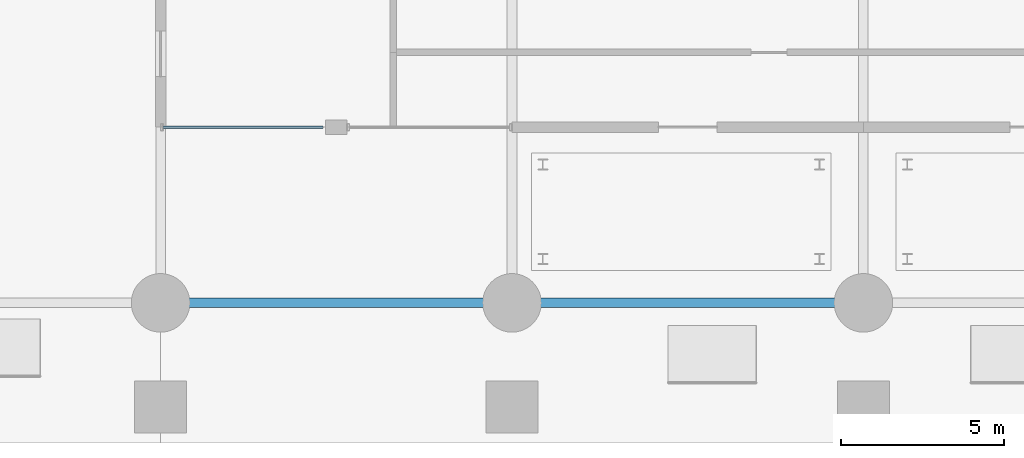
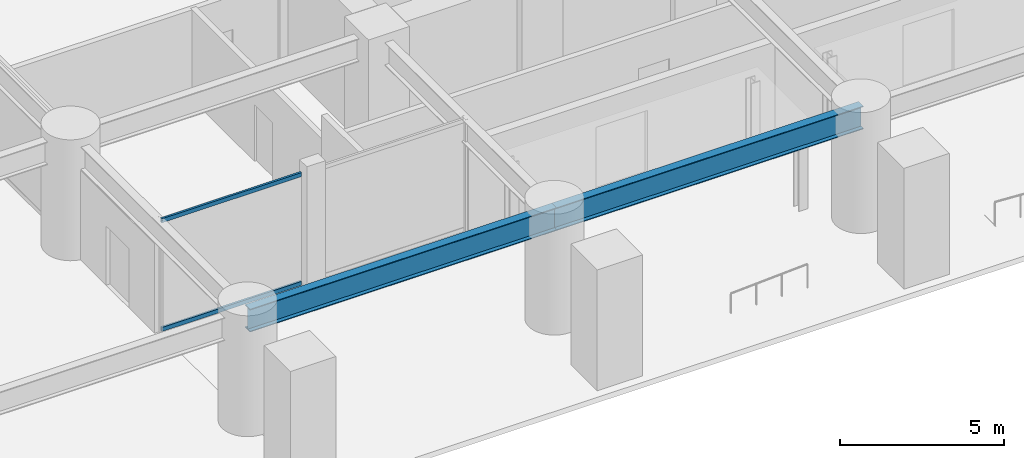
# One storey, part 6 of 29: 2 beams, 2 members, 1 element without a shape of its own.
"""IFC4 building model written with IfcOpenShell, lengths in metres."""

import ifcopenshell
import ifcopenshell.guid

model = None  # the IFC model being written
_history = None  # IfcOwnerHistory: only IFC2X3 demands one
_inside = {}  # id of a spatial element -> (the spatial element, [elements in it])
_under = {}  # id of a project, library or spatial element -> (it, [spatial elements below it])
_declared = {}  # id of a project -> (the project, [libraries it declares])
_typed = {}  # id of a type object -> (the type object, [elements of that type])
_made_of = {}  # id of a material, layer set ... -> (it, [elements and type objects made of it])


def new_model(schema):
    """Start an empty IFC model of exactly this schema.

    Asked for "IFC4X3", IfcOpenShell would pick the latest addendum, in which some entities
    have other attributes; the version numbers below select the first issue.
    IFC2X3 requires an IfcOwnerHistory on every rooted entity: one is made here for all.
    """
    global model, _history
    if schema == "IFC4X3":
        model = ifcopenshell.file(schema_version=(4, 3, 0, 0))
    else:
        model = ifcopenshell.file(schema=schema)
    _inside.clear()
    _under.clear()
    _declared.clear()
    _typed.clear()
    _made_of.clear()
    _history = None
    if model.schema == "IFC2X3":
        org = make("IfcOrganization", Name="unknown")
        user = make(
            "IfcPersonAndOrganization",
            ThePerson=make("IfcPerson", FamilyName="unknown"),
            TheOrganization=org,
        )
        app = make(
            "IfcApplication",
            ApplicationDeveloper=org,
            Version="unknown",
            ApplicationFullName="unknown",
            ApplicationIdentifier="unknown",
        )
        _history = make(
            "IfcOwnerHistory",
            OwningUser=user,
            OwningApplication=app,
            ChangeAction="ADDED",
            CreationDate=0,
        )
    return model


def make(cls, **values):
    """One entity of the class cls with the attributes given. An attribute that is None is left unset."""
    return model.create_entity(
        cls, **{name: value for name, value in values.items() if value is not None}
    )


def rooted(cls, **values):
    """An entity with a GlobalId (a new one), such as an element, a storey or a relation."""
    return make(cls, GlobalId=ifcopenshell.guid.new(), OwnerHistory=_history, **values)


def si_unit(unit_type, name, prefix=None):
    """IfcSIUnit, for example si_unit("LENGTHUNIT", "METRE", prefix="MILLI")."""
    return make("IfcSIUnit", UnitType=unit_type, Prefix=prefix, Name=name)


def assignment(units):
    """IfcUnitAssignment: the units of a project."""
    return None if units is None else make("IfcUnitAssignment", Units=units)


def point(xyz):
    """IfcCartesianPoint."""
    return None if xyz is None else make("IfcCartesianPoint", Coordinates=xyz)


def direction(xyz):
    """IfcDirection."""
    return None if xyz is None else make("IfcDirection", DirectionRatios=xyz)


def frame(location, z_axis=None, x_axis=None):
    """IfcAxis2Placement3D, a coordinate frame: its origin and axes. An axis left out is left unset."""
    return make(
        "IfcAxis2Placement3D",
        Location=point(location),
        Axis=direction(z_axis),
        RefDirection=direction(x_axis),
    )


def frame_2d(location, x_axis=None):
    """IfcAxis2Placement2D, a coordinate frame in the plane: its origin and x axis."""
    return make(
        "IfcAxis2Placement2D", Location=point(location), RefDirection=direction(x_axis)
    )


def origin():
    """The frame at (0, 0, 0) with its axes left unset."""
    return frame((0.0, 0.0, 0.0))


def origin_2d():
    """The frame at (0, 0) in the plane with its x axis left unset."""
    return frame_2d((0.0, 0.0))


def place(relative_to, where):
    """IfcLocalPlacement: puts the frame where relative to a parent placement (None: the world)."""
    return make(
        "IfcLocalPlacement", PlacementRelTo=relative_to, RelativePlacement=where
    )


def context(
    kind, dimensions, precision=None, world=None, true_north=None, identifier=None
):
    """IfcGeometricRepresentationContext, for example the 3D "Model" context."""
    return make(
        "IfcGeometricRepresentationContext",
        ContextIdentifier=identifier,
        ContextType=kind,
        CoordinateSpaceDimension=dimensions,
        Precision=precision,
        WorldCoordinateSystem=world,
        TrueNorth=true_north,
    )


def subcontext(parent, identifier, kind, view, scale=None):
    """IfcGeometricRepresentationSubContext, for example "Body" below "Model"."""
    return make(
        "IfcGeometricRepresentationSubContext",
        ContextIdentifier=identifier,
        ContextType=kind,
        ParentContext=parent,
        TargetScale=scale,
        TargetView=view,
    )


def project(units=None, contexts=None):
    """IfcProject with its units and contexts."""
    return rooted(
        "IfcProject",
        Name="project",
        RepresentationContexts=contexts,
        UnitsInContext=assignment(units),
    )


def spatial(cls, under=None, at=None, **own):
    """A site, building, storey or space (cls), placed at a placement, below another one or the project."""
    s = rooted(cls, ObjectPlacement=at, **own)
    if under is not None:
        _under.setdefault(under.id(), (under, []))[1].append(s)
    return s


def profile(cls, at=None, kind="AREA", **sizes):
    """A parametric profile (cls). Its sizes go by their IFC names, for example OverallWidth=200.0."""
    return make(cls, ProfileType=kind, Position=at, **sizes)


def hollow_rectangle(**sizes):
    """IfcRectangleHollowProfileDef."""
    return profile("IfcRectangleHollowProfileDef", **sizes)


def i_section(**sizes):
    """IfcIShapeProfileDef."""
    return profile("IfcIShapeProfileDef", **sizes)


def extrude(swept, where, along, depth):
    """IfcExtrudedAreaSolid: the profile swept, set in the frame where, extruded along a direction by depth."""
    return make(
        "IfcExtrudedAreaSolid",
        SweptArea=swept,
        Position=where,
        ExtrudedDirection=direction(along),
        Depth=depth,
    )


def shape(context_of_items, identifier, shape_type, items):
    """IfcShapeRepresentation: the items that make up one representation, for example the "Body"."""
    return make(
        "IfcShapeRepresentation",
        ContextOfItems=context_of_items,
        RepresentationIdentifier=identifier,
        RepresentationType=shape_type,
        Items=items,
    )


def material(Name=None, Category=None):
    """IfcMaterial."""
    return make("IfcMaterial", Name=Name, Category=Category)


def layer(
    of_material, thickness, ventilated=None, Name=None, Category=None, Priority=None
):
    """IfcMaterialLayer: one layer of a wall or slab, of a material (None: an air gap)."""
    return make(
        "IfcMaterialLayer",
        Material=of_material,
        LayerThickness=thickness,
        IsVentilated=ventilated,
        Name=Name,
        Category=Category,
        Priority=Priority,
    )


def layer_set(layers, Name=None):
    """IfcMaterialLayerSet."""
    return make("IfcMaterialLayerSet", MaterialLayers=layers, LayerSetName=Name)


def material_profile(
    of_material, cross_section, Name=None, Category=None, Priority=None
):
    """IfcMaterialProfile: a cross section and its material."""
    return make(
        "IfcMaterialProfile",
        Name=Name,
        Material=of_material,
        Profile=cross_section,
        Priority=Priority,
        Category=Category,
    )


def profile_set(profiles, Name=None, composite=None):
    """IfcMaterialProfileSet."""
    return make(
        "IfcMaterialProfileSet",
        Name=Name,
        MaterialProfiles=profiles,
        CompositeProfile=composite,
    )


def made_of(thing, what):
    """Note that an element or type object is made of a material, layer set ...; save() writes the relation."""
    if what is not None:
        _made_of.setdefault(what.id(), (what, []))[1].append(thing)
    return thing


def type_object(cls, material=None, **own):
    """A type object (cls), such as IfcWallType, which elements share."""
    return made_of(rooted(cls, **own), material)


def element(
    cls,
    number,
    at=None,
    inside=None,
    cuts=None,
    type_object=None,
    material=None,
    context=None,
    identifier="Body",
    shape_type=None,
    held_by="IfcProductDefinitionShape",
    body=None,
    shapes=None,
    **own,
):
    """One element of the class cls, such as IfcWall. Its Tag is "e" and its number.

    at: its placement. inside: the storey or other place that contains it. cuts: it is an
    opening in that element (IfcRelVoidsElement). A single representation is given by context,
    identifier, shape_type and body (its items); several are given by shapes. held_by: the class
    of the entity that holds the representations. save() writes the other relations.
    """
    e = rooted(cls, Tag="e%d" % number, ObjectPlacement=at, **own)
    if body is not None:
        shapes = [shape(context, identifier, shape_type, body)]
    if shapes is not None:
        e.Representation = make(held_by, Representations=shapes)
    if inside is not None:
        _inside.setdefault(inside.id(), (inside, []))[1].append(e)
    if cuts is not None:
        rooted(
            "IfcRelVoidsElement", RelatingBuildingElement=cuts, RelatedOpeningElement=e
        )
    if type_object is not None:
        _typed.setdefault(type_object.id(), (type_object, []))[1].append(e)
    return made_of(e, material)


def aggregate(whole, parts):
    """IfcRelAggregates: a whole, such as a stair, and the parts it consists of."""
    return rooted("IfcRelAggregates", RelatingObject=whole, RelatedObjects=parts)


def save(model, path):
    """Write the relations noted so far, then the file.

    IfcRelAggregates (storeys below a building ...), IfcRelContainedInSpatialStructure (elements
    in a storey), IfcRelDefinesByType, IfcRelAssociatesMaterial and IfcRelDeclares: one each for
    every whole, place, type object, material and project.
    """
    for whole, parts in _under.values():
        aggregate(whole, parts)
    for where, things in _inside.values():
        rooted(
            "IfcRelContainedInSpatialStructure",
            RelatedElements=things,
            RelatingStructure=where,
        )
    for kind, things in _typed.values():
        rooted("IfcRelDefinesByType", RelatedObjects=things, RelatingType=kind)
    for what, things in _made_of.values():
        rooted("IfcRelAssociatesMaterial", RelatedObjects=things, RelatingMaterial=what)
    for by, libraries in _declared.values():
        rooted("IfcRelDeclares", RelatingContext=by, RelatedDefinitions=libraries)
    model.write(path)


model = new_model("IFC4")

# Units and contexts
model_context = context("Model", 3, precision=1e-05, world=origin(), true_north=direction((0.0, 1.0)))
body_context = subcontext(model_context, "Body", "Model", "MODEL_VIEW")
ifc_project = project(units=[si_unit("LENGTHUNIT", "METRE"), si_unit("AREAUNIT", "SQUARE_METRE"), si_unit("VOLUMEUNIT", "CUBIC_METRE"), si_unit("PLANEANGLEUNIT", "RADIAN"), si_unit("MASSUNIT", "GRAM", prefix="KILO")], contexts=[model_context])

# Site, building, storey
site_placement = place(None, origin())
site = spatial("IfcSite", under=ifc_project, at=site_placement, CompositionType="ELEMENT")
building_placement = place(site_placement, origin())
building = spatial("IfcBuilding", under=site, at=building_placement, Name="Surkhivell Harbour Commons", CompositionType="ELEMENT")
storey_placement = place(building_placement, origin())
storey = spatial("IfcBuildingStorey", under=building, at=storey_placement, Name="L00", CompositionType="ELEMENT", Elevation=0.0)

# Beams
ifc_material_1 = material(Name="Steel S460", Category="steel")
ifc_material_profile_1 = material_profile(ifc_material_1, i_section(OverallWidth=0.2939453125, OverallDepth=0.85107421875, WebThickness=0.01611328125, FlangeThickness=0.02685546875, at=origin_2d()), Name="UB838x292x226")
ifc_profile_set_1 = profile_set([ifc_material_profile_1], Name="Steel S460")
beam_type = type_object("IfcBeamType", Name="BM-SPN-838", PredefinedType="SPANDREL", material=ifc_profile_set_1)
for number, where, z_axis, x_axis, name in (
    (1, (-21.60009765625, -21.60009765625, 3.7744140625), (1.0, 0.0, 0.0), (0.0, 1.0, 0.0), "L00 Framing Beam (-21.6,-21.6)"),
    (2, (-10.800048828125, -21.60009765625, 3.7744140625), (1.0, 0.0, 0.0), (0.0, 1.0, 0.0), "L00 Framing Beam (-10.8,-21.6)"),
):
    element("IfcBeam", number, at=place(storey_placement, frame(where, z_axis=z_axis, x_axis=x_axis)), inside=storey, type_object=beam_type, Name=name, PredefinedType="SPANDREL", context=body_context, shape_type="SweptSolid", body=[
        extrude(i_section(OverallWidth=0.2939453125, OverallDepth=0.85107421875, WebThickness=0.01611328125, FlangeThickness=0.02685546875, at=origin_2d()), origin(), (0.0, 0.0, 1.0), 10.800048828125),
    ])

# Curtain wall, members
ifc_material_2 = material(Name="Anodised pale-metal aluminium and insulated glazing", Category="aluminium")
ifc_layer = layer(ifc_material_2, 0.239990234375)
ifc_layer_set = layer_set([ifc_layer], Name="Anodised pale-metal aluminium and insulated glazing")
curtain_wall_type = type_object("IfcCurtainWallType", Name="CW-SYS-POD", PredefinedType="NOTDEFINED", material=ifc_layer_set)
curtain_wall_placement = place(storey_placement, origin())
curtain_wall = element("IfcCurtainWall", 3, at=curtain_wall_placement, inside=storey, type_object=curtain_wall_type, Name="L00 Curtain Wall CW-L00-P01", PredefinedType="NOTDEFINED")
ifc_material_3 = material(Name="Anodised pale-metal aluminium alloy 6063-T6", Category="aluminium")
ifc_material_profile_2 = material_profile(ifc_material_3, hollow_rectangle(XDim=0.074951171875, YDim=0.14990234375, WallThickness=0.00341796875, at=origin_2d()), Name="ALU-TRAN-75x150")
ifc_profile_set_2 = profile_set([ifc_material_profile_2], Name="Anodised pale-metal aluminium alloy 6063-T6")
member_type = type_object("IfcMemberType", Name="CWT-150", PredefinedType="USERDEFINED", material=ifc_profile_set_2)
member_1_placement = place(storey_placement, frame((-21.52490234375, -16.199951171875, 0.074951171875), z_axis=(1.0, 0.0, 0.0), x_axis=(0.0, 1.0, 0.0)))
member_1 = element("IfcMember", 4, at=member_1_placement, type_object=member_type, Name="CW-POD transom 1.1", ObjectType="TRANSOM", PredefinedType="USERDEFINED", context=body_context, shape_type="SweptSolid", body=[
    extrude(hollow_rectangle(XDim=0.074951171875, YDim=0.14990234375, WallThickness=0.00341796875, at=origin_2d()), origin(), (0.0, 0.0, 1.0), 4.9228515625),
])
member_2_placement = place(storey_placement, frame((-21.52490234375, -16.199951171875, 4.125), z_axis=(1.0, 0.0, 0.0), x_axis=(0.0, 1.0, 0.0)))
member_2 = element("IfcMember", 5, at=member_2_placement, type_object=member_type, Name="CW-POD transom 1.2", ObjectType="TRANSOM", PredefinedType="USERDEFINED", context=body_context, shape_type="SweptSolid", body=[
    extrude(hollow_rectangle(XDim=0.074951171875, YDim=0.14990234375, WallThickness=0.00341796875, at=origin_2d()), origin(), (0.0, 0.0, 1.0), 4.9228515625),
])
aggregate(curtain_wall, [member_1, member_2])

save(model, "model.ifc")
